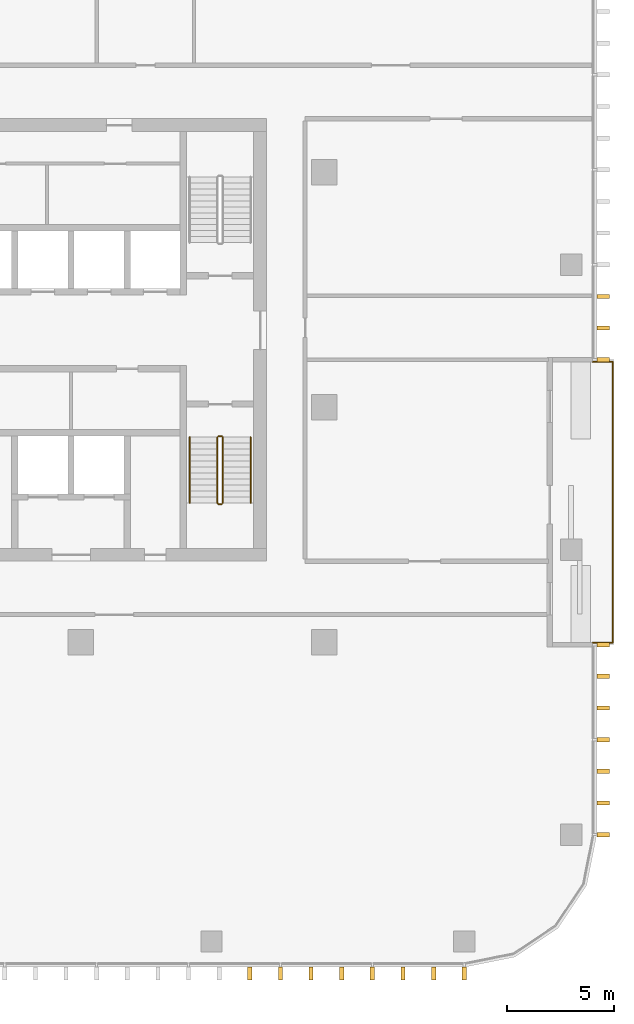
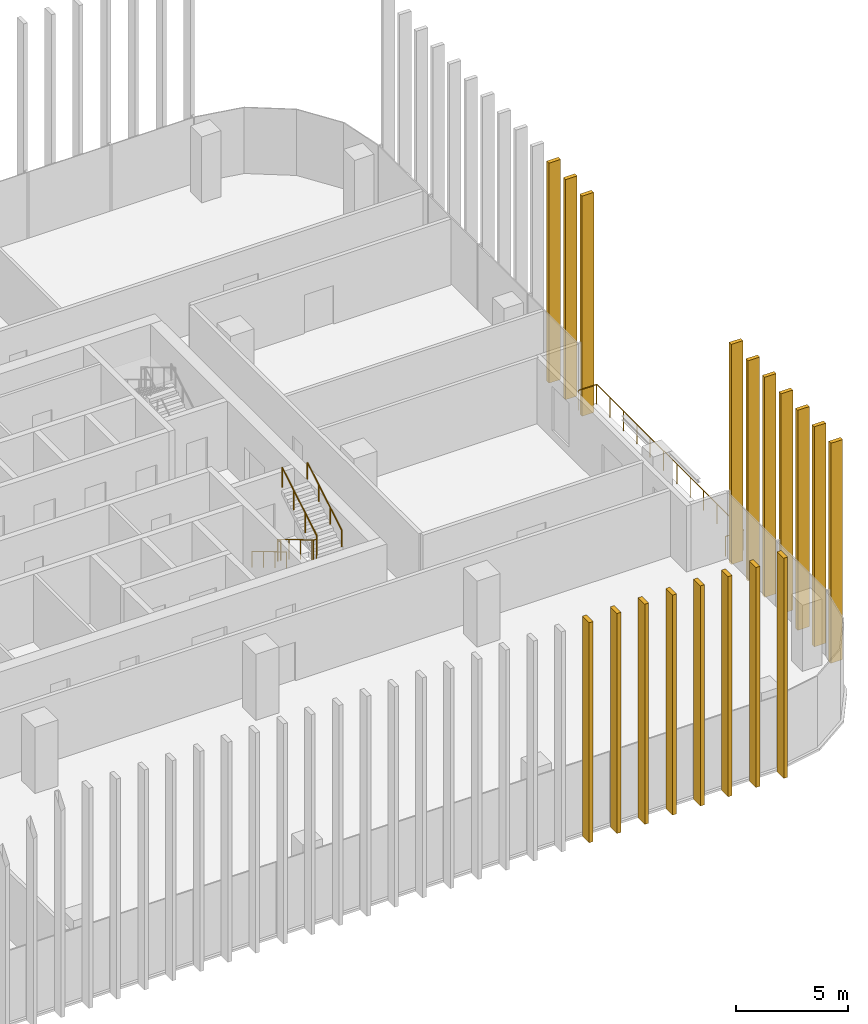
# One storey, part 13 of 16: 18 shading devices, 6 railings.
"""IFC4 building model written with IfcOpenShell, lengths in metres."""

from ifc_helpers import new_model, si_unit, direction, frame, origin, origin_2d, place, context, subcontext, project, spatial, rectangle, circle, extrude, material, type_object, element, save


model = new_model("IFC4")

# Units and contexts
model_context = context("Model", 3, precision=1e-05, world=origin(), true_north=direction((0.0, 1.0)))
body_context = subcontext(model_context, "Body", "Model", "MODEL_VIEW")
ifc_project = project(units=[si_unit("LENGTHUNIT", "METRE"), si_unit("AREAUNIT", "SQUARE_METRE"), si_unit("VOLUMEUNIT", "CUBIC_METRE"), si_unit("PLANEANGLEUNIT", "RADIAN"), si_unit("MASSUNIT", "GRAM", prefix="KILO")], contexts=[model_context])

# Site, building, storey
site_placement = place(None, origin())
site = spatial("IfcSite", under=ifc_project, at=site_placement, CompositionType="ELEMENT")
building_placement = place(site_placement, origin())
building = spatial("IfcBuilding", under=site, at=building_placement, Name="Mopane Tessera Tower", CompositionType="ELEMENT")
storey_placement = place(building_placement, frame((0.0, 0.0, 279.39990234375)))
storey = spatial("IfcBuildingStorey", under=building, at=storey_placement, Name="L60", CompositionType="ELEMENT", Elevation=279.39990234375)

# Shading devices
ifc_material_1 = material(Name="Glazed ceramic tile")
shading_device_type = type_object("IfcShadingDeviceType", Name="Ceramic tile fin 600 x 200 mm", PredefinedType="USERDEFINED", material=ifc_material_1)
for number, where, z_axis, x_axis, name in (
    (1, (13.61669921875, -26.5, -0.39990234375), (0.0, 0.0, 1.0), (1.0, 0.0, 0.0), "e:fin:L60:S:8:2"),
    (2, (15.050048828125, -26.5, -0.39990234375), (0.0, 0.0, 1.0), (1.0, 0.0, 0.0), "e:fin:L60:S:9:0"),
    (3, (16.4833984375, -26.5, -0.39990234375), (0.0, 0.0, 1.0), (1.0, 0.0, 0.0), "e:fin:L60:S:9:1"),
    (4, (17.916748046875, -26.5, -0.39990234375), (0.0, 0.0, 1.0), (1.0, 0.0, 0.0), "e:fin:L60:S:9:2"),
    (5, (19.35009765625, -26.5, -0.39990234375), (0.0, 0.0, 1.0), (1.0, 0.0, 0.0), "e:fin:L60:S:10:0"),
    (6, (20.783447265625, -26.5, -0.39990234375), (0.0, 0.0, 1.0), (1.0, 0.0, 0.0), "e:fin:L60:S:10:1"),
    (7, (22.216552734375, -26.5, -0.39990234375), (0.0, 0.0, 1.0), (1.0, 0.0, 0.0), "e:fin:L60:S:10:2"),
    (8, (23.64990234375, -26.5, -0.39990234375), (0.0, 0.0, 1.0), (1.0, 0.0, 0.0), "e:fin:L60:S:10:3"),
    (9, (30.14990234375, -20.0, -0.39990234375), (0.0, 0.0, 1.0), (0.0, 1.0, 0.0), "e:fin:L60:E:0:0"),
    (10, (30.14990234375, -18.5185546875, -0.39990234375), (0.0, 0.0, 1.0), (0.0, 1.0, 0.0), "e:fin:L60:E:0:1"),
    (11, (30.14990234375, -17.037109375, -0.39990234375), (0.0, 0.0, 1.0), (0.0, 1.0, 0.0), "e:fin:L60:E:0:2"),
    (12, (30.14990234375, -15.5556640625, -0.39990234375), (0.0, 0.0, 1.0), (0.0, 1.0, 0.0), "e:fin:L60:E:1:0"),
    (13, (30.14990234375, -14.073974609375, -0.39990234375), (0.0, 0.0, 1.0), (0.0, 1.0, 0.0), "e:fin:L60:E:1:1"),
    (14, (30.14990234375, -12.592529296875, -0.39990234375), (0.0, 0.0, 1.0), (0.0, 1.0, 0.0), "e:fin:L60:E:1:2"),
    (15, (30.14990234375, -11.111083984375, -0.39990234375), (0.0, 0.0, 1.0), (0.0, 1.0, 0.0), "e:fin:L60:E:1:3"),
    (16, (30.14990234375, 2.22216796875, -0.39990234375), (0.0, 0.0, 1.0), (0.0, 1.0, 0.0), "e:fin:L60:E:5:0"),
    (17, (30.14990234375, 3.70361328125, -0.39990234375), (0.0, 0.0, 1.0), (0.0, 1.0, 0.0), "e:fin:L60:E:5:1"),
    (18, (30.14990234375, 5.185302734375, -0.39990234375), (0.0, 0.0, 1.0), (0.0, 1.0, 0.0), "e:fin:L60:E:5:2"),
):
    element("IfcShadingDevice", number, at=place(storey_placement, frame(where, z_axis=z_axis, x_axis=x_axis)), inside=storey, type_object=shading_device_type, Name=name, ObjectType="FIN", PredefinedType="USERDEFINED", context=body_context, shape_type="SweptSolid", body=[
        extrude(rectangle(XDim=0.199951171875, YDim=0.60009765625, at=origin_2d()), origin(), (0.0, 0.0, 1.0), 12.0),
    ])

# Railings
ifc_material_2 = material(Name="Powder-coated steel balustrade", Category="steel")
railing_type_1 = type_object("IfcRailingType", Name="Escape stair guard 1100 mm", PredefinedType="GUARDRAIL", material=ifc_material_2)
railing_1_placement = place(storey_placement, frame((12.10009765625, -1.39990234375, 0.166748046875)))
element("IfcRailing", 19, at=railing_1_placement, inside=storey, type_object=railing_type_1, Name="L60 ST3 stair guard 1", PredefinedType="GUARDRAIL", context=body_context, shape_type="SweptSolid", body=[
    extrude(circle(Radius=0.02392578125, at=origin_2d()), frame((0.0, 0.0, 1.076171875), z_axis=(0.0, -0.859308565015, 0.511457515432), x_axis=(1.0, 0.0, 0.0)), (0.0, 0.0, 1.0), 3.58447265625),
    extrude(circle(Radius=0.02392578125, at=origin_2d()), frame((0.0, -3.080078125, 2.9091796875), z_axis=(0.705375805398, -0.708833529934, 0.0), x_axis=(0.708833529934, 0.705375805398, 0.0)), (0.0, 0.0, 1.0), 0.070556640625),
    extrude(circle(Radius=0.02392578125, at=origin_2d()), frame((0.0498046875, -3.130126953125, 2.9091796875), z_axis=(1.0, 0.0, 0.0), x_axis=(0.0, 1.0, 0.0)), (0.0, 0.0, 1.0), 0.150146484375),
    extrude(circle(Radius=0.02099609375, at=origin_2d()), origin(), (0.0, 0.0, 1.0), 1.052001953125),
    extrude(circle(Radius=0.02099609375, at=origin_2d()), frame((0.0, -1.026611328125, 0.611083984375)), (0.0, 0.0, 1.0), 1.052001953125),
    extrude(circle(Radius=0.02099609375, at=origin_2d()), frame((0.0, -2.053466796875, 1.22216796875)), (0.0, 0.0, 1.0), 1.052001953125),
    extrude(circle(Radius=0.02099609375, at=origin_2d()), frame((0.0, -3.080078125, 1.833251953125)), (0.0, 0.0, 1.0), 1.052001953125),
    extrude(circle(Radius=0.02099609375, at=origin_2d()), frame((0.0498046875, -3.130126953125, 1.833251953125)), (0.0, 0.0, 1.0), 1.052001953125),
    extrude(circle(Radius=0.02099609375, at=origin_2d()), frame((0.199951171875, -3.130126953125, 1.833251953125)), (0.0, 0.0, 1.0), 1.052001953125),
])
railing_2_placement = place(storey_placement, frame((12.35009765625, -4.47998046875, 2.166748046875)))
element("IfcRailing", 20, at=railing_2_placement, inside=storey, type_object=railing_type_1, Name="L60 ST3 stair guard 2", PredefinedType="GUARDRAIL", context=body_context, shape_type="SweptSolid", body=[
    extrude(circle(Radius=0.02392578125, at=origin_2d()), frame((0.0, 0.0, 1.076171875), z_axis=(0.0, 0.859308565015, 0.511457515432), x_axis=(-1.0, 0.0, 0.0)), (0.0, 0.0, 1.0), 3.58447265625),
    extrude(circle(Radius=0.02099609375, at=origin_2d()), origin(), (0.0, 0.0, 1.0), 1.052001953125),
    extrude(circle(Radius=0.02099609375, at=origin_2d()), frame((0.0, 1.026611328125, 0.611083984375)), (0.0, 0.0, 1.0), 1.052001953125),
    extrude(circle(Radius=0.02099609375, at=origin_2d()), frame((0.0, 2.053466796875, 1.22216796875)), (0.0, 0.0, 1.0), 1.052001953125),
    extrude(circle(Radius=0.02099609375, at=origin_2d()), frame((0.0, 3.080078125, 1.833251953125)), (0.0, 0.0, 1.0), 1.052001953125),
])
railing_3_placement = place(storey_placement, frame((12.14990234375, -1.35009765625, 0.0)))
element("IfcRailing", 21, at=railing_3_placement, inside=storey, type_object=railing_type_1, Name="L60 ST3 stair guard 3", PredefinedType="GUARDRAIL", context=body_context, shape_type="SweptSolid", body=[
    extrude(circle(Radius=0.02392578125, at=origin_2d()), frame((0.0, 0.0, 1.076171875), z_axis=(1.0, 0.0, 0.0), x_axis=(0.0, 1.0, 0.0)), (0.0, 0.0, 1.0), 0.150146484375),
    extrude(circle(Radius=0.02099609375, at=origin_2d()), origin(), (0.0, 0.0, 1.0), 1.052001953125),
    extrude(circle(Radius=0.02099609375, at=origin_2d()), frame((0.150146484375, 0.0, 0.0)), (0.0, 0.0, 1.0), 1.052001953125),
])
ifc_material_3 = material(Name="Powder-coated steel balustrade", Category="steel")
railing_type_2 = type_object("IfcRailingType", Name="Escape stair handrail 900 mm", PredefinedType="HANDRAIL", material=ifc_material_3)
railing_4_placement = place(storey_placement, frame((10.800048828125, -1.39990234375, 0.166748046875)))
element("IfcRailing", 22, at=railing_4_placement, inside=storey, type_object=railing_type_2, Name="L60 ST3 stair handrail 1", PredefinedType="HANDRAIL", context=body_context, shape_type="SweptSolid", body=[
    extrude(circle(Radius=0.02392578125, at=origin_2d()), frame((0.0, 0.0, 0.8759765625), z_axis=(0.0, -0.859308565015, 0.511457515432), x_axis=(1.0, 0.0, 0.0)), (0.0, 0.0, 1.0), 3.58447265625),
    extrude(circle(Radius=0.02099609375, at=origin_2d()), origin(), (0.0, 0.0, 1.0), 0.851806640625),
    extrude(circle(Radius=0.02099609375, at=origin_2d()), frame((0.0, -1.026611328125, 0.611083984375)), (0.0, 0.0, 1.0), 0.851806640625),
    extrude(circle(Radius=0.02099609375, at=origin_2d()), frame((0.0, -2.053466796875, 1.22216796875)), (0.0, 0.0, 1.0), 0.851806640625),
    extrude(circle(Radius=0.02099609375, at=origin_2d()), frame((0.0, -3.080078125, 1.833251953125)), (0.0, 0.0, 1.0), 0.851806640625),
])
railing_5_placement = place(storey_placement, frame((13.64990234375, -4.47998046875, 2.166748046875)))
element("IfcRailing", 23, at=railing_5_placement, inside=storey, type_object=railing_type_2, Name="L60 ST3 stair handrail 2", PredefinedType="HANDRAIL", context=body_context, shape_type="SweptSolid", body=[
    extrude(circle(Radius=0.02392578125, at=origin_2d()), frame((0.0, 0.0, 0.8759765625), z_axis=(0.0, 0.859308565015, 0.511457515432), x_axis=(-1.0, 0.0, 0.0)), (0.0, 0.0, 1.0), 3.58447265625),
    extrude(circle(Radius=0.02099609375, at=origin_2d()), origin(), (0.0, 0.0, 1.0), 0.851806640625),
    extrude(circle(Radius=0.02099609375, at=origin_2d()), frame((0.0, 1.026611328125, 0.611083984375)), (0.0, 0.0, 1.0), 0.851806640625),
    extrude(circle(Radius=0.02099609375, at=origin_2d()), frame((0.0, 2.053466796875, 1.22216796875)), (0.0, 0.0, 1.0), 0.851806640625),
    extrude(circle(Radius=0.02099609375, at=origin_2d()), frame((0.0, 3.080078125, 1.833251953125)), (0.0, 0.0, 1.0), 0.851806640625),
])
ifc_material_4 = material(Name="Stainless steel S316", Category="steel")
railing_type_3 = type_object("IfcRailingType", Name="Terrace guard 1100", PredefinedType="GUARDRAIL", material=ifc_material_4)
railing_6_placement = place(storey_placement, frame((29.64990234375, -11.01123046875, 0.0)))
element("IfcRailing", 24, at=railing_6_placement, inside=storey, type_object=railing_type_3, Name="e:nw:L60:N1:guard", PredefinedType="GUARDRAIL", context=body_context, shape_type="SweptSolid", body=[
    extrude(circle(Radius=0.02392578125, at=origin_2d()), frame((0.0, 0.0, 1.076171875), z_axis=(1.0, 0.0, 0.0), x_axis=(0.0, 1.0, 0.0)), (0.0, 0.0, 1.0), 0.9501953125),
    extrude(circle(Radius=0.02392578125, at=origin_2d()), frame((0.9501953125, 0.0, 1.076171875), z_axis=(0.0, 1.0, 0.0), x_axis=(-1.0, 0.0, 0.0)), (0.0, 0.0, 1.0), 13.133544921875),
    extrude(circle(Radius=0.02392578125, at=origin_2d()), frame((0.9501953125, 13.133544921875, 1.076171875), z_axis=(-1.0, 0.0, 0.0), x_axis=(0.0, -1.0, 0.0)), (0.0, 0.0, 1.0), 0.9501953125),
    extrude(circle(Radius=0.02099609375, at=origin_2d()), origin(), (0.0, 0.0, 1.0), 1.052001953125),
    extrude(circle(Radius=0.02099609375, at=origin_2d()), frame((0.9501953125, 0.0, 0.0)), (0.0, 0.0, 1.0), 1.052001953125),
    extrude(circle(Radius=0.02099609375, at=origin_2d()), frame((0.9501953125, 1.19384765625, 0.0)), (0.0, 0.0, 1.0), 1.052001953125),
    extrude(circle(Radius=0.02099609375, at=origin_2d()), frame((0.9501953125, 2.387939453125, 0.0)), (0.0, 0.0, 1.0), 1.052001953125),
    extrude(circle(Radius=0.02099609375, at=origin_2d()), frame((0.9501953125, 3.581787109375, 0.0)), (0.0, 0.0, 1.0), 1.052001953125),
    extrude(circle(Radius=0.02099609375, at=origin_2d()), frame((0.9501953125, 4.77587890625, 0.0)), (0.0, 0.0, 1.0), 1.052001953125),
    extrude(circle(Radius=0.02099609375, at=origin_2d()), frame((0.9501953125, 5.9697265625, 0.0)), (0.0, 0.0, 1.0), 1.052001953125),
    extrude(circle(Radius=0.02099609375, at=origin_2d()), frame((0.9501953125, 7.163818359375, 0.0)), (0.0, 0.0, 1.0), 1.052001953125),
    extrude(circle(Radius=0.02099609375, at=origin_2d()), frame((0.9501953125, 8.357666015625, 0.0)), (0.0, 0.0, 1.0), 1.052001953125),
    extrude(circle(Radius=0.02099609375, at=origin_2d()), frame((0.9501953125, 9.5517578125, 0.0)), (0.0, 0.0, 1.0), 1.052001953125),
    extrude(circle(Radius=0.02099609375, at=origin_2d()), frame((0.9501953125, 10.74560546875, 0.0)), (0.0, 0.0, 1.0), 1.052001953125),
    extrude(circle(Radius=0.02099609375, at=origin_2d()), frame((0.9501953125, 11.939697265625, 0.0)), (0.0, 0.0, 1.0), 1.052001953125),
    extrude(circle(Radius=0.02099609375, at=origin_2d()), frame((0.9501953125, 13.133544921875, 0.0)), (0.0, 0.0, 1.0), 1.052001953125),
    extrude(circle(Radius=0.02099609375, at=origin_2d()), frame((0.0, 13.133544921875, 0.0)), (0.0, 0.0, 1.0), 1.052001953125),
])

save(model, "model.ifc")
